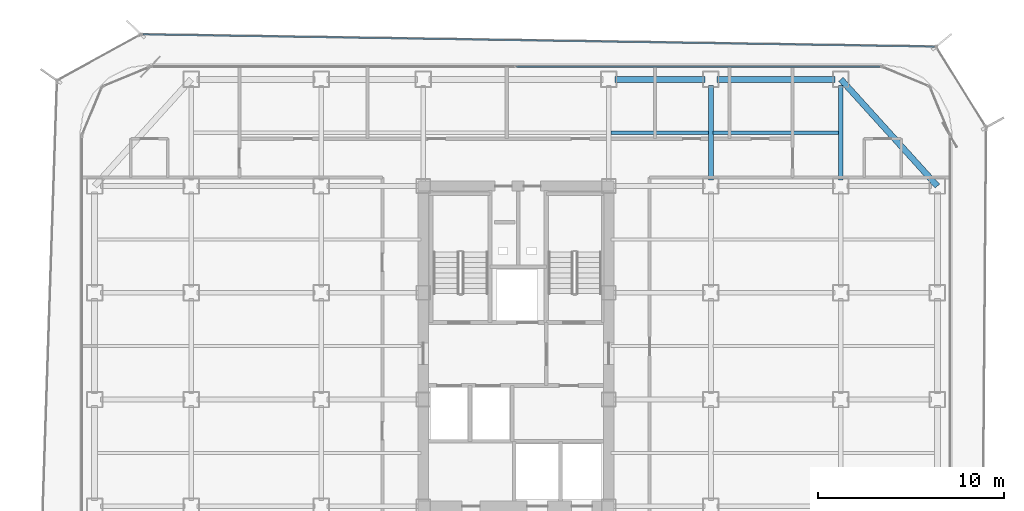
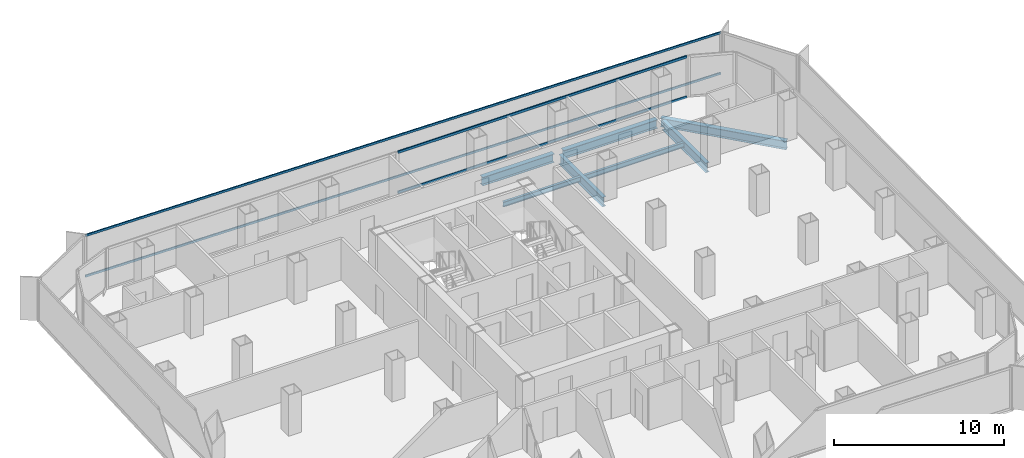
# One storey, part 13 of 21: 7 beams, 4 members, 2 elements without a shape of their own.
"""IFC4 building model written with IfcOpenShell, lengths in metres."""

from ifc_helpers import new_model, si_unit, direction, frame, origin, origin_2d, place, context, subcontext, project, spatial, hollow_rectangle, i_section, extrude, source, transform, mapped, material, layer, layer_set, material_profile, profile_set, type_object, element, aggregate, save


model = new_model("IFC4")

# Units and contexts
model_context = context("Model", 3, precision=1e-05, world=origin(), true_north=direction((0.0, 1.0)))
body_context = subcontext(model_context, "Body", "Model", "MODEL_VIEW")
ifc_project = project(units=[si_unit("LENGTHUNIT", "METRE"), si_unit("AREAUNIT", "SQUARE_METRE"), si_unit("VOLUMEUNIT", "CUBIC_METRE"), si_unit("PLANEANGLEUNIT", "RADIAN"), si_unit("MASSUNIT", "GRAM", prefix="KILO")], contexts=[model_context])

# Site, building, storey
site_placement = place(None, origin())
site = spatial("IfcSite", under=ifc_project, at=site_placement, CompositionType="ELEMENT")
building_placement = place(site_placement, origin())
building = spatial("IfcBuilding", under=site, at=building_placement, Name="Kolveth Station Tower", CompositionType="ELEMENT")
storey_placement = place(building_placement, frame((0.0, 0.0, 111.89990234375)))
storey = spatial("IfcBuildingStorey", under=building, at=storey_placement, Name="L30", CompositionType="ELEMENT", Elevation=111.89990234375)

# Beams
ifc_material_1 = material(Name="Steel S355", Category="steel")
ifc_material_profile_1 = material_profile(ifc_material_1, i_section(OverallWidth=0.323974609375, OverallDepth=0.611083984375, WebThickness=0.0126953125, FlangeThickness=0.01904296875, at=origin_2d()), Name="W610x155")
ifc_profile_set_1 = profile_set([ifc_material_profile_1], Name="Steel S355")
beam_type_1 = type_object("IfcBeamType", Name="Beam_SP2", PredefinedType="SPANDREL", material=ifc_profile_set_1)
shared_shape_1 = source(origin(), body_context, "Body", "SweptSolid", [
    extrude(i_section(OverallWidth=0.323974609375, OverallDepth=0.611083984375, WebThickness=0.0126953125, FlangeThickness=0.01904296875, at=origin_2d()), origin(), (0.0, 0.0, 1.0), 6.35986328125),
])
beam_1_placement = place(storey_placement, frame((34.320068359375, 34.5, -0.555419921875), z_axis=(1.0, 0.0, 0.0), x_axis=(0.0, 1.0, 0.0)))
element("IfcBeam", 1, at=beam_1_placement, inside=storey, type_object=beam_type_1, Name="L30 Perimeter Spandrel BM-L30-PN-5", PredefinedType="SPANDREL", context=body_context, shape_type="MappedRepresentation", body=[
    mapped(shared_shape_1, transform((0.0, 0.0, 0.0), x_axis=(1.0, 0.0, 0.0), y_axis=(0.0, 1.0, 0.0), z_axis=(0.0, 0.0, 1.0), scale=1.0)),
])
shared_shape_2 = source(origin(), body_context, "Body", "SweptSolid", [
    extrude(i_section(OverallWidth=0.323974609375, OverallDepth=0.611083984375, WebThickness=0.0126953125, FlangeThickness=0.01904296875, at=origin_2d()), origin(), (0.0, 0.0, 1.0), 4.85986328125),
])
beam_2_placement = place(storey_placement, frame((28.820068359375, 34.5, -0.555419921875), z_axis=(1.0, 0.0, 0.0), x_axis=(0.0, 1.0, 0.0)))
element("IfcBeam", 2, at=beam_2_placement, inside=storey, type_object=beam_type_1, Name="L30 Perimeter Spandrel BM-L30-PN-4", PredefinedType="SPANDREL", context=body_context, shape_type="MappedRepresentation", body=[
    mapped(shared_shape_2, transform((0.0, 0.0, 0.0), x_axis=(1.0, 0.0, 0.0), y_axis=(0.0, 1.0, 0.0), z_axis=(0.0, 0.0, 1.0), scale=1.0)),
])
shared_shape_3 = source(origin(), body_context, "Body", "SweptSolid", [
    extrude(i_section(OverallWidth=0.323974609375, OverallDepth=0.611083984375, WebThickness=0.0126953125, FlangeThickness=0.01904296875, at=origin_2d()), origin(), (0.0, 0.0, 1.0), 7.75244140625),
])
beam_3_placement = place(storey_placement, frame((46.199951171875, 28.75, -0.555419921875), z_axis=(-0.670740965555, 0.74169168603, 0.0), x_axis=(-0.74169168603, -0.670740965555, 0.0)))
element("IfcBeam", 3, at=beam_3_placement, inside=storey, type_object=beam_type_1, Name="L30 Corner Edge Girder BM-L30-CNR-NE", PredefinedType="SPANDREL", context=body_context, shape_type="MappedRepresentation", body=[
    mapped(shared_shape_3, transform((0.0, 0.0, 0.0), x_axis=(1.0, 0.0, 0.0), y_axis=(0.0, 1.0, 0.0), z_axis=(0.0, 0.0, 1.0), scale=1.0)),
])
ifc_material_profile_2 = material_profile(ifc_material_1, i_section(OverallWidth=0.25390625, OverallDepth=0.68798828125, WebThickness=0.01318359375, FlangeThickness=0.02099609375, at=origin_2d()), Name="W690x152")
ifc_profile_set_2 = profile_set([ifc_material_profile_2], Name="Steel S355")
beam_type_2 = type_object("IfcBeamType", Name="Beam_B4", PredefinedType="BEAM", material=ifc_profile_set_2)
shared_shape_4 = source(origin(), body_context, "Body", "SweptSolid", [
    extrude(i_section(OverallWidth=0.25390625, OverallDepth=0.68798828125, WebThickness=0.01318359375, FlangeThickness=0.02099609375, at=origin_2d()), origin(), (0.0, 0.0, 1.0), 5.10986328125),
])
for number, where, z_axis, x_axis, name in (
    (4, (34.0, 29.070068359375, -0.593994140625), (0.0, 1.0, 0.0), (-1.0, 0.0, 0.0), "L30 Primary Girder BM-L30-GX340-6"),
    (5, (41.0, 29.070068359375, -0.593994140625), (0.0, 1.0, 0.0), (-1.0, 0.0, 0.0), "L30 Primary Girder BM-L30-GX410-6"),
):
    element("IfcBeam", number, at=place(storey_placement, frame(where, z_axis=z_axis, x_axis=x_axis)), inside=storey, type_object=beam_type_2, Name=name, PredefinedType="BEAM", context=body_context, shape_type="MappedRepresentation", body=[
        mapped(shared_shape_4, transform((0.0, 0.0, 0.0), x_axis=(1.0, 0.0, 0.0), y_axis=(0.0, 1.0, 0.0), z_axis=(0.0, 0.0, 1.0), scale=1.0)),
    ])
ifc_material_profile_3 = material_profile(ifc_material_1, i_section(OverallWidth=0.1708984375, OverallDepth=0.35205078125, WebThickness=0.0068359375, FlangeThickness=0.009765625, at=origin_2d()), Name="W360x44")
ifc_profile_set_3 = profile_set([ifc_material_profile_3], Name="Steel S355")
beam_type_3 = type_object("IfcBeamType", Name="Beam_J2", PredefinedType="JOIST", material=ifc_profile_set_3)
shared_shape_5 = source(origin(), body_context, "Body", "SweptSolid", [
    extrude(i_section(OverallWidth=0.1708984375, OverallDepth=0.35205078125, WebThickness=0.0068359375, FlangeThickness=0.009765625, at=origin_2d()), origin(), (0.0, 0.0, 1.0), 6.75),
])
beam_4_placement = place(storey_placement, frame((34.125, 31.625, -0.42578125), z_axis=(1.0, 0.0, 0.0), x_axis=(0.0, 1.0, 0.0)))
element("IfcBeam", 6, at=beam_4_placement, inside=storey, type_object=beam_type_3, Name="L30 Secondary Joist JST-L30-6-6", PredefinedType="JOIST", context=body_context, shape_type="MappedRepresentation", body=[
    mapped(shared_shape_5, transform((0.0, 0.0, 0.0), x_axis=(1.0, 0.0, 0.0), y_axis=(0.0, 1.0, 0.0), z_axis=(0.0, 0.0, 1.0), scale=1.0)),
])
shared_shape_6 = source(origin(), body_context, "Body", "SweptSolid", [
    extrude(i_section(OverallWidth=0.1708984375, OverallDepth=0.35205078125, WebThickness=0.0068359375, FlangeThickness=0.009765625, at=origin_2d()), origin(), (0.0, 0.0, 1.0), 5.25),
])
beam_5_placement = place(storey_placement, frame((28.625, 31.625, -0.42578125), z_axis=(1.0, 0.0, 0.0), x_axis=(0.0, 1.0, 0.0)))
element("IfcBeam", 7, at=beam_5_placement, inside=storey, type_object=beam_type_3, Name="L30 Secondary Joist JST-L30-5-6", PredefinedType="JOIST", context=body_context, shape_type="MappedRepresentation", body=[
    mapped(shared_shape_6, transform((0.0, 0.0, 0.0), x_axis=(1.0, 0.0, 0.0), y_axis=(0.0, 1.0, 0.0), z_axis=(0.0, 0.0, 1.0), scale=1.0)),
])

# Curtain wall, members
ifc_material_2 = material(Name="Aluminium 6063-T6 and low-E dark glass", Category="aluminium")
ifc_layer_1 = layer(ifc_material_2, 0.18994140625)
ifc_layer_set_1 = layer_set([ifc_layer_1], Name="Aluminium 6063-T6 and low-E dark glass")
curtain_wall_type_1 = type_object("IfcCurtainWallType", Name="CurtainWall_CW-Z2", PredefinedType="NOTDEFINED", material=ifc_layer_set_1)
curtain_wall_1_placement = place(storey_placement, origin())
curtain_wall_1 = element("IfcCurtainWall", 8, at=curtain_wall_1_placement, inside=storey, type_object=curtain_wall_type_1, Name="L30 Inner Thermal Curtain Wall 6", PredefinedType="NOTDEFINED")
ifc_material_3 = material(Name="Black anodized aluminium 6063-T6", Category="aluminium")
ifc_material_profile_4 = material_profile(ifc_material_3, hollow_rectangle(XDim=0.080078125, YDim=0.169921875, WallThickness=0.0048828125, at=origin_2d()), Name="ALU-80x170x5")
ifc_profile_set_4 = profile_set([ifc_material_profile_4], Name="Black anodized aluminium 6063-T6")
member_type_1 = type_object("IfcMemberType", Name="Transom_TR2", PredefinedType="USERDEFINED", material=ifc_profile_set_4)
shared_shape_7 = source(origin(), body_context, "Body", "SweptSolid", [
    extrude(hollow_rectangle(XDim=0.080078125, YDim=0.169921875, WallThickness=0.0048828125, at=origin_2d()), origin(), (0.0, 0.0, 1.0), 19.580078125),
])
member_1_placement = place(storey_placement, frame((43.1201171875, 35.179931640625, 0.0400390625), z_axis=(-1.0, 0.0, 0.0), x_axis=(0.0, -1.0, 0.0)))
member_1 = element("IfcMember", 9, at=member_1_placement, type_object=member_type_1, Name="CW-Z2 transom 1.1", ObjectType="TRANSOM", PredefinedType="USERDEFINED", context=body_context, shape_type="MappedRepresentation", body=[
    mapped(shared_shape_7, transform((0.0, 0.0, 0.0), x_axis=(1.0, 0.0, 0.0), y_axis=(0.0, 1.0, 0.0), z_axis=(0.0, 0.0, 1.0), scale=1.0)),
])
member_2_placement = place(storey_placement, frame((43.1201171875, 35.179931640625, 2.91015625), z_axis=(-1.0, 0.0, 0.0), x_axis=(0.0, -1.0, 0.0)))
member_2 = element("IfcMember", 10, at=member_2_placement, type_object=member_type_1, Name="CW-Z2 transom 1.2", ObjectType="TRANSOM", PredefinedType="USERDEFINED", context=body_context, shape_type="MappedRepresentation", body=[
    mapped(shared_shape_7, transform((0.0, 0.0, 0.0), x_axis=(1.0, 0.0, 0.0), y_axis=(0.0, 1.0, 0.0), z_axis=(0.0, 0.0, 1.0), scale=1.0)),
])
aggregate(curtain_wall_1, [member_1, member_2])

ifc_material_4 = material(Name="Black anodized aluminium 6063-T6 and dark solar glass", Category="aluminium")
ifc_layer_2 = layer(ifc_material_4, 0.159912109375)
ifc_layer_set_2 = layer_set([ifc_layer_2], Name="Black anodized aluminium 6063-T6 and dark solar glass")
curtain_wall_type_2 = type_object("IfcCurtainWallType", Name="OUTER SKIN CW-OS", PredefinedType="NOTDEFINED", material=ifc_layer_set_2)
curtain_wall_2_placement = place(storey_placement, origin())
curtain_wall_2 = element("IfcCurtainWall", 11, at=curtain_wall_2_placement, inside=storey, type_object=curtain_wall_type_2, Name="L30 Outer Ventilated Skin Curtain Wall 4", PredefinedType="NOTDEFINED")
ifc_material_profile_5 = material_profile(ifc_material_3, hollow_rectangle(XDim=0.080078125, YDim=0.14990234375, WallThickness=0.0048828125, at=origin_2d()), Name="ALU-80x150x5")
ifc_profile_set_5 = profile_set([ifc_material_profile_5], Name="Black anodized aluminium 6063-T6")
member_type_2 = type_object("IfcMemberType", Name="Transom_TR-OS", PredefinedType="USERDEFINED", material=ifc_profile_set_5)
shared_shape_8 = source(origin(), body_context, "Body", "SweptSolid", [
    extrude(hollow_rectangle(XDim=0.080078125, YDim=0.14990234375, WallThickness=0.0048828125, at=origin_2d()), origin(), (0.0, 0.0, 1.0), 42.654541015625),
])
member_3_placement = place(storey_placement, frame((46.041015625, 36.261474609375, 0.0400390625), z_axis=(-0.999880492467, 0.015459650185, 0.0), x_axis=(-0.015459650185, -0.999880492467, 0.0)))
member_3 = element("IfcMember", 12, at=member_3_placement, type_object=member_type_2, Name="CW-OS transom 1.1", ObjectType="TRANSOM", PredefinedType="USERDEFINED", context=body_context, shape_type="MappedRepresentation", body=[
    mapped(shared_shape_8, transform((0.0, 0.0, 0.0), x_axis=(1.0, 0.0, 0.0), y_axis=(0.0, 1.0, 0.0), z_axis=(0.0, 0.0, 1.0), scale=1.0)),
])
member_4_placement = place(storey_placement, frame((46.041015625, 36.261474609375, 2.9501953125), z_axis=(-0.999880492467, 0.015459650185, 0.0), x_axis=(-0.015459650185, -0.999880492467, 0.0)))
member_4 = element("IfcMember", 13, at=member_4_placement, type_object=member_type_2, Name="CW-OS transom 1.2", ObjectType="TRANSOM", PredefinedType="USERDEFINED", context=body_context, shape_type="MappedRepresentation", body=[
    mapped(shared_shape_8, transform((0.0, 0.0, 0.0), x_axis=(1.0, 0.0, 0.0), y_axis=(0.0, 1.0, 0.0), z_axis=(0.0, 0.0, 1.0), scale=1.0)),
])
aggregate(curtain_wall_2, [member_3, member_4])

save(model, "model.ifc")
